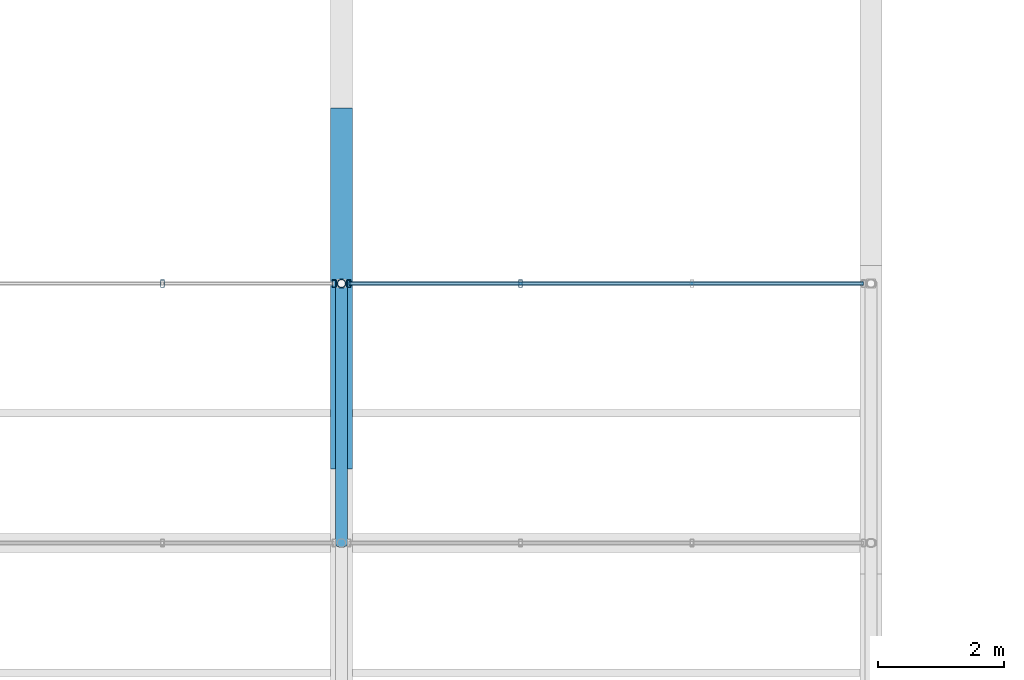
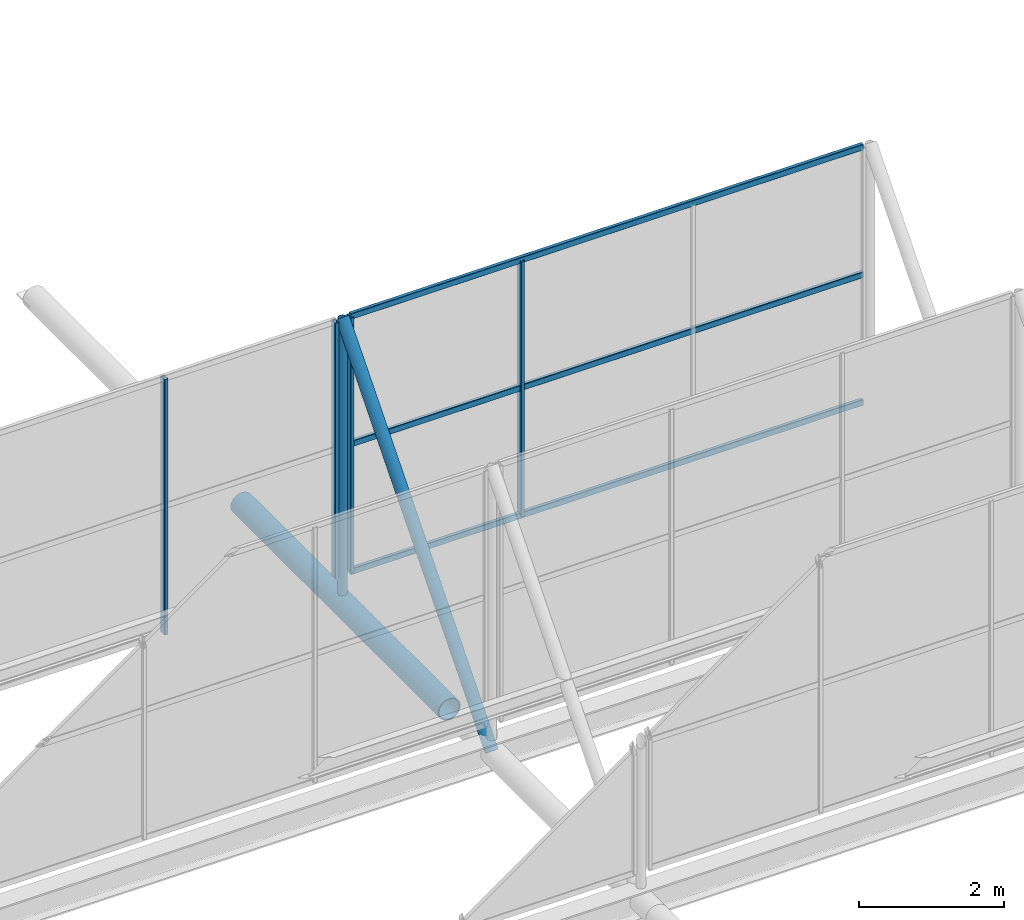
# One storey, part 46 of 77: 10 members, 2 elements without a shape of their own.
"""IFC4 building model written with IfcOpenShell, lengths in metres."""

import ifcopenshell
import ifcopenshell.guid

model = None  # the IFC model being written
_history = None  # IfcOwnerHistory: only IFC2X3 demands one
_inside = {}  # id of a spatial element -> (the spatial element, [elements in it])
_under = {}  # id of a project, library or spatial element -> (it, [spatial elements below it])
_declared = {}  # id of a project -> (the project, [libraries it declares])
_typed = {}  # id of a type object -> (the type object, [elements of that type])
_made_of = {}  # id of a material, layer set ... -> (it, [elements and type objects made of it])


def new_model(schema):
    """Start an empty IFC model of exactly this schema.

    Asked for "IFC4X3", IfcOpenShell would pick the latest addendum, in which some entities
    have other attributes; the version numbers below select the first issue.
    IFC2X3 requires an IfcOwnerHistory on every rooted entity: one is made here for all.
    """
    global model, _history
    if schema == "IFC4X3":
        model = ifcopenshell.file(schema_version=(4, 3, 0, 0))
    else:
        model = ifcopenshell.file(schema=schema)
    _inside.clear()
    _under.clear()
    _declared.clear()
    _typed.clear()
    _made_of.clear()
    _history = None
    if model.schema == "IFC2X3":
        org = make("IfcOrganization", Name="unknown")
        user = make(
            "IfcPersonAndOrganization",
            ThePerson=make("IfcPerson", FamilyName="unknown"),
            TheOrganization=org,
        )
        app = make(
            "IfcApplication",
            ApplicationDeveloper=org,
            Version="unknown",
            ApplicationFullName="unknown",
            ApplicationIdentifier="unknown",
        )
        _history = make(
            "IfcOwnerHistory",
            OwningUser=user,
            OwningApplication=app,
            ChangeAction="ADDED",
            CreationDate=0,
        )
    return model


def make(cls, **values):
    """One entity of the class cls with the attributes given. An attribute that is None is left unset."""
    return model.create_entity(
        cls, **{name: value for name, value in values.items() if value is not None}
    )


def rooted(cls, **values):
    """An entity with a GlobalId (a new one), such as an element, a storey or a relation."""
    return make(cls, GlobalId=ifcopenshell.guid.new(), OwnerHistory=_history, **values)


def si_unit(unit_type, name, prefix=None):
    """IfcSIUnit, for example si_unit("LENGTHUNIT", "METRE", prefix="MILLI")."""
    return make("IfcSIUnit", UnitType=unit_type, Prefix=prefix, Name=name)


def derived_unit(unit_type, elements):
    """IfcDerivedUnit: a product of units, each with its exponent."""
    return make(
        "IfcDerivedUnit",
        Elements=[
            make("IfcDerivedUnitElement", Unit=unit, Exponent=power)
            for unit, power in elements
        ],
        UnitType=unit_type,
    )


def assignment(units):
    """IfcUnitAssignment: the units of a project."""
    return None if units is None else make("IfcUnitAssignment", Units=units)


def point(xyz):
    """IfcCartesianPoint."""
    return None if xyz is None else make("IfcCartesianPoint", Coordinates=xyz)


def direction(xyz):
    """IfcDirection."""
    return None if xyz is None else make("IfcDirection", DirectionRatios=xyz)


def frame(location, z_axis=None, x_axis=None):
    """IfcAxis2Placement3D, a coordinate frame: its origin and axes. An axis left out is left unset."""
    return make(
        "IfcAxis2Placement3D",
        Location=point(location),
        Axis=direction(z_axis),
        RefDirection=direction(x_axis),
    )


def frame_2d(location, x_axis=None):
    """IfcAxis2Placement2D, a coordinate frame in the plane: its origin and x axis."""
    return make(
        "IfcAxis2Placement2D", Location=point(location), RefDirection=direction(x_axis)
    )


def origin():
    """The frame at (0, 0, 0) with its axes left unset."""
    return frame((0.0, 0.0, 0.0))


def origin_2d():
    """The frame at (0, 0) in the plane with its x axis left unset."""
    return frame_2d((0.0, 0.0))


def place(relative_to, where):
    """IfcLocalPlacement: puts the frame where relative to a parent placement (None: the world)."""
    return make(
        "IfcLocalPlacement", PlacementRelTo=relative_to, RelativePlacement=where
    )


def context(
    kind, dimensions, precision=None, world=None, true_north=None, identifier=None
):
    """IfcGeometricRepresentationContext, for example the 3D "Model" context."""
    return make(
        "IfcGeometricRepresentationContext",
        ContextIdentifier=identifier,
        ContextType=kind,
        CoordinateSpaceDimension=dimensions,
        Precision=precision,
        WorldCoordinateSystem=world,
        TrueNorth=true_north,
    )


def subcontext(parent, identifier, kind, view, scale=None):
    """IfcGeometricRepresentationSubContext, for example "Body" below "Model"."""
    return make(
        "IfcGeometricRepresentationSubContext",
        ContextIdentifier=identifier,
        ContextType=kind,
        ParentContext=parent,
        TargetScale=scale,
        TargetView=view,
    )


def project(units=None, contexts=None):
    """IfcProject with its units and contexts."""
    return rooted(
        "IfcProject",
        Name="project",
        RepresentationContexts=contexts,
        UnitsInContext=assignment(units),
    )


def spatial(cls, under=None, at=None, **own):
    """A site, building, storey or space (cls), placed at a placement, below another one or the project."""
    s = rooted(cls, ObjectPlacement=at, **own)
    if under is not None:
        _under.setdefault(under.id(), (under, []))[1].append(s)
    return s


def profile(cls, at=None, kind="AREA", **sizes):
    """A parametric profile (cls). Its sizes go by their IFC names, for example OverallWidth=200.0."""
    return make(cls, ProfileType=kind, Position=at, **sizes)


def hollow_rectangle(**sizes):
    """IfcRectangleHollowProfileDef."""
    return profile("IfcRectangleHollowProfileDef", **sizes)


def hollow_circle(**sizes):
    """IfcCircleHollowProfileDef."""
    return profile("IfcCircleHollowProfileDef", **sizes)


def extrude(swept, where, along, depth):
    """IfcExtrudedAreaSolid: the profile swept, set in the frame where, extruded along a direction by depth."""
    return make(
        "IfcExtrudedAreaSolid",
        SweptArea=swept,
        Position=where,
        ExtrudedDirection=direction(along),
        Depth=depth,
    )


def shape(context_of_items, identifier, shape_type, items):
    """IfcShapeRepresentation: the items that make up one representation, for example the "Body"."""
    return make(
        "IfcShapeRepresentation",
        ContextOfItems=context_of_items,
        RepresentationIdentifier=identifier,
        RepresentationType=shape_type,
        Items=items,
    )


def material(Name=None, Category=None):
    """IfcMaterial."""
    return make("IfcMaterial", Name=Name, Category=Category)


def material_profile(
    of_material, cross_section, Name=None, Category=None, Priority=None
):
    """IfcMaterialProfile: a cross section and its material."""
    return make(
        "IfcMaterialProfile",
        Name=Name,
        Material=of_material,
        Profile=cross_section,
        Priority=Priority,
        Category=Category,
    )


def profile_set(profiles, Name=None, composite=None):
    """IfcMaterialProfileSet."""
    return make(
        "IfcMaterialProfileSet",
        Name=Name,
        MaterialProfiles=profiles,
        CompositeProfile=composite,
    )


def made_of(thing, what):
    """Note that an element or type object is made of a material, layer set ...; save() writes the relation."""
    if what is not None:
        _made_of.setdefault(what.id(), (what, []))[1].append(thing)
    return thing


def type_object(cls, material=None, **own):
    """A type object (cls), such as IfcWallType, which elements share."""
    return made_of(rooted(cls, **own), material)


def element(
    cls,
    number,
    at=None,
    inside=None,
    cuts=None,
    type_object=None,
    material=None,
    context=None,
    identifier="Body",
    shape_type=None,
    held_by="IfcProductDefinitionShape",
    body=None,
    shapes=None,
    **own,
):
    """One element of the class cls, such as IfcWall. Its Tag is "e" and its number.

    at: its placement. inside: the storey or other place that contains it. cuts: it is an
    opening in that element (IfcRelVoidsElement). A single representation is given by context,
    identifier, shape_type and body (its items); several are given by shapes. held_by: the class
    of the entity that holds the representations. save() writes the other relations.
    """
    e = rooted(cls, Tag="e%d" % number, ObjectPlacement=at, **own)
    if body is not None:
        shapes = [shape(context, identifier, shape_type, body)]
    if shapes is not None:
        e.Representation = make(held_by, Representations=shapes)
    if inside is not None:
        _inside.setdefault(inside.id(), (inside, []))[1].append(e)
    if cuts is not None:
        rooted(
            "IfcRelVoidsElement", RelatingBuildingElement=cuts, RelatedOpeningElement=e
        )
    if type_object is not None:
        _typed.setdefault(type_object.id(), (type_object, []))[1].append(e)
    return made_of(e, material)


def aggregate(whole, parts):
    """IfcRelAggregates: a whole, such as a stair, and the parts it consists of."""
    return rooted("IfcRelAggregates", RelatingObject=whole, RelatedObjects=parts)


def save(model, path):
    """Write the relations noted so far, then the file.

    IfcRelAggregates (storeys below a building ...), IfcRelContainedInSpatialStructure (elements
    in a storey), IfcRelDefinesByType, IfcRelAssociatesMaterial and IfcRelDeclares: one each for
    every whole, place, type object, material and project.
    """
    for whole, parts in _under.values():
        aggregate(whole, parts)
    for where, things in _inside.values():
        rooted(
            "IfcRelContainedInSpatialStructure",
            RelatedElements=things,
            RelatingStructure=where,
        )
    for kind, things in _typed.values():
        rooted("IfcRelDefinesByType", RelatedObjects=things, RelatingType=kind)
    for what, things in _made_of.values():
        rooted("IfcRelAssociatesMaterial", RelatedObjects=things, RelatingMaterial=what)
    for by, libraries in _declared.values():
        rooted("IfcRelDeclares", RelatingContext=by, RelatedDefinitions=libraries)
    model.write(path)


model = new_model("IFC4")

# Units and contexts
model_context = context("Model", 3, precision=1e-05, world=origin(), true_north=direction((0.0, 1.0)))
body_context = subcontext(model_context, "Body", "Model", "MODEL_VIEW")
ifc_project = project(units=[si_unit("LENGTHUNIT", "METRE"), si_unit("AREAUNIT", "SQUARE_METRE"), si_unit("VOLUMEUNIT", "CUBIC_METRE"), si_unit("PLANEANGLEUNIT", "RADIAN"), si_unit("MASSUNIT", "GRAM", prefix="KILO"), derived_unit("THERMALTRANSMITTANCEUNIT", [(si_unit("MASSUNIT", "GRAM", prefix="KILO"), 1), (si_unit("TIMEUNIT", "SECOND"), -3), (si_unit("THERMODYNAMICTEMPERATUREUNIT", "KELVIN"), -1)])], contexts=[model_context])

# Site, building, storey
site_placement = place(None, origin())
site = spatial("IfcSite", under=ifc_project, at=site_placement, CompositionType="ELEMENT")
building_placement = place(site_placement, origin())
building = spatial("IfcBuilding", under=site, at=building_placement, Name="Kharveza Railside Sports Centre", CompositionType="ELEMENT")
storey_placement = place(building_placement, frame((0.0, 0.0, 17.10009765625)))
storey = spatial("IfcBuildingStorey", under=building, at=storey_placement, Name="L04", CompositionType="ELEMENT", Elevation=17.10009765625)

# Curtain wall, members
ifc_material_1 = material(Name="Low-E solar-control laminated glass", Category="glass")
curtain_wall_type = type_object("IfcCurtainWallType", Name="CW-NL01", PredefinedType="NOTDEFINED", material=ifc_material_1)
curtain_wall_1_placement = place(storey_placement, origin())
curtain_wall_1 = element("IfcCurtainWall", 1, at=curtain_wall_1_placement, inside=storey, type_object=curtain_wall_type, Name="CW-V1NL-7-4", PredefinedType="NOTDEFINED")
ifc_material_2 = material(Name="Anodised aluminium 6063-T6", Category="aluminium")
ifc_material_profile_1 = material_profile(ifc_material_2, hollow_rectangle(XDim=0.06005859375, YDim=0.1201171875, WallThickness=0.0048828125, InnerFilletRadius=0.0048828125, OuterFilletRadius=0.010009765625, at=origin_2d()), Name="RHS 60x120x5.0")
ifc_profile_set_1 = profile_set([ifc_material_profile_1], Name="Anodised aluminium 6063-T6")
member_type_1 = type_object("IfcMemberType", Name="CW-ML05", PredefinedType="MULLION", material=ifc_profile_set_1)
member_1_placement = place(storey_placement, frame((64.360107421875, 64.800048828125, -0.550048828125), z_axis=(0.0, 0.0, 1.0), x_axis=(1.0, 0.0, 0.0)))
member_1 = element("IfcMember", 2, at=member_1_placement, type_object=member_type_1, Name="CW-V1NL-7-4-ML3", PredefinedType="MULLION", context=body_context, shape_type="SweptSolid", body=[
    extrude(hollow_rectangle(XDim=0.06005859375, YDim=0.1201171875, WallThickness=0.0048828125, InnerFilletRadius=0.0048828125, OuterFilletRadius=0.010009765625, at=origin_2d()), origin(), (0.0, 0.0, 1.0), 4.300048828125),
])
member_2_placement = place(storey_placement, frame((67.080078125, 64.800048828125, -0.550048828125), z_axis=(0.0, 0.0, 1.0), x_axis=(1.0, 0.0, 0.0)))
member_2 = element("IfcMember", 3, at=member_2_placement, type_object=member_type_1, Name="CW-V1NL-7-4-ML4", PredefinedType="MULLION", context=body_context, shape_type="SweptSolid", body=[
    extrude(hollow_rectangle(XDim=0.06005859375, YDim=0.1201171875, WallThickness=0.0048828125, InnerFilletRadius=0.0048828125, OuterFilletRadius=0.010009765625, at=origin_2d()), origin(), (0.0, 0.0, 1.0), 4.300048828125),
])
aggregate(curtain_wall_1, [member_1, member_2])

curtain_wall_2_placement = place(storey_placement, origin())
curtain_wall_2 = element("IfcCurtainWall", 4, at=curtain_wall_2_placement, inside=storey, type_object=curtain_wall_type, Name="CW-V1NL-7-5", PredefinedType="NOTDEFINED")
member_3_placement = place(storey_placement, frame((67.320068359375, 64.800048828125, -0.550048828125), z_axis=(0.0, 0.0, 1.0), x_axis=(1.0, 0.0, 0.0)))
member_3 = element("IfcMember", 5, at=member_3_placement, type_object=member_type_1, Name="CW-V1NL-7-5-ML1", PredefinedType="MULLION", context=body_context, shape_type="SweptSolid", body=[
    extrude(hollow_rectangle(XDim=0.06005859375, YDim=0.1201171875, WallThickness=0.0048828125, InnerFilletRadius=0.0048828125, OuterFilletRadius=0.010009765625, at=origin_2d()), origin(), (0.0, 0.0, 1.0), 4.300048828125),
])
member_4_placement = place(storey_placement, frame((70.0400390625, 64.800048828125, -0.550048828125), z_axis=(0.0, 0.0, 1.0), x_axis=(1.0, 0.0, 0.0)))
member_4 = element("IfcMember", 6, at=member_4_placement, type_object=member_type_1, Name="CW-V1NL-7-5-ML2", PredefinedType="MULLION", context=body_context, shape_type="SweptSolid", body=[
    extrude(hollow_rectangle(XDim=0.06005859375, YDim=0.1201171875, WallThickness=0.0048828125, InnerFilletRadius=0.0048828125, OuterFilletRadius=0.010009765625, at=origin_2d()), origin(), (0.0, 0.0, 1.0), 4.300048828125),
])
ifc_material_profile_2 = material_profile(ifc_material_2, hollow_rectangle(XDim=0.06005859375, YDim=0.10009765625, WallThickness=0.00390625, InnerFilletRadius=0.00390625, OuterFilletRadius=0.008056640625, at=origin_2d()), Name="RHS 60x100x4.0")
ifc_profile_set_2 = profile_set([ifc_material_profile_2], Name="Anodised aluminium 6063-T6")
member_type_2 = type_object("IfcMemberType", Name="CW-TR05", PredefinedType="USERDEFINED", material=ifc_profile_set_2)
member_5_placement = place(storey_placement, frame((67.320068359375, 64.800048828125, -0.550048828125), z_axis=(1.0, 0.0, 0.0), x_axis=(0.0, 1.0, 0.0)))
member_5 = element("IfcMember", 7, at=member_5_placement, type_object=member_type_2, Name="CW-V1NL-7-5-TR1", ObjectType="TRANSOM", PredefinedType="USERDEFINED", context=body_context, shape_type="SweptSolid", body=[
    extrude(hollow_rectangle(XDim=0.06005859375, YDim=0.10009765625, WallThickness=0.00390625, InnerFilletRadius=0.00390625, OuterFilletRadius=0.008056640625, at=origin_2d()), origin(), (0.0, 0.0, 1.0), 8.159912109375),
])
member_6_placement = place(storey_placement, frame((67.320068359375, 64.800048828125, 1.599853515625), z_axis=(1.0, 0.0, 0.0), x_axis=(0.0, 1.0, 0.0)))
member_6 = element("IfcMember", 8, at=member_6_placement, type_object=member_type_2, Name="CW-V1NL-7-5-TR2", ObjectType="TRANSOM", PredefinedType="USERDEFINED", context=body_context, shape_type="SweptSolid", body=[
    extrude(hollow_rectangle(XDim=0.06005859375, YDim=0.10009765625, WallThickness=0.00390625, InnerFilletRadius=0.00390625, OuterFilletRadius=0.008056640625, at=origin_2d()), origin(), (0.0, 0.0, 1.0), 8.159912109375),
])
member_7_placement = place(storey_placement, frame((67.320068359375, 64.800048828125, 3.75), z_axis=(1.0, 0.0, 0.0), x_axis=(0.0, 1.0, 0.0)))
member_7 = element("IfcMember", 9, at=member_7_placement, type_object=member_type_2, Name="CW-V1NL-7-5-TR3", ObjectType="TRANSOM", PredefinedType="USERDEFINED", context=body_context, shape_type="SweptSolid", body=[
    extrude(hollow_rectangle(XDim=0.06005859375, YDim=0.10009765625, WallThickness=0.00390625, InnerFilletRadius=0.00390625, OuterFilletRadius=0.008056640625, at=origin_2d()), origin(), (0.0, 0.0, 1.0), 8.159912109375),
])
aggregate(curtain_wall_2, [member_3, member_4, member_5, member_6, member_7])

# Members
ifc_material_3 = material(Name="Steel S355J2", Category="steel")
ifc_material_profile_3 = material_profile(ifc_material_3, hollow_circle(Radius=0.177734375, WallThickness=0.01611328125, at=origin_2d()), Name="CHS 355.6x16.0")
ifc_profile_set_3 = profile_set([ifc_material_profile_3], Name="Steel S355J2")
member_type_3 = type_object("IfcMemberType", Name="MB-CH01", PredefinedType="CHORD", material=ifc_profile_set_3)
member_8_placement = place(storey_placement, frame((67.199951171875, 61.857666015625, -1.050048828125), z_axis=(0.0, 1.0, 0.0), x_axis=(-1.0, 0.0, 0.0)))
element("IfcMember", 10, at=member_8_placement, inside=storey, type_object=member_type_3, Name="MB-V1TR-TC-5-7", PredefinedType="CHORD", context=body_context, shape_type="SweptSolid", body=[
    extrude(hollow_circle(Radius=0.177734375, WallThickness=0.01611328125, at=origin_2d()), origin(), (0.0, 0.0, 1.0), 5.728759765625),
])
ifc_material_profile_4 = material_profile(ifc_material_3, hollow_circle(Radius=0.096923828125, WallThickness=0.010009765625, at=origin_2d()), Name="CHS 193.7x10.0")
ifc_profile_set_4 = profile_set([ifc_material_profile_4], Name="Steel S355J2")
member_type_4 = type_object("IfcMemberType", Name="MB-ST02", PredefinedType="STRUT", material=ifc_profile_set_4)
member_9_placement = place(storey_placement, frame((67.199951171875, 60.685791015625, -1.050048828125), z_axis=(0.0, 0.650003261435, 0.759931418039), x_axis=(-1.0, 0.0, 0.0)))
element("IfcMember", 11, at=member_9_placement, inside=storey, type_object=member_type_4, Name="MB-V1SAW-RFT-7-5", PredefinedType="STRUT", context=body_context, shape_type="SweptSolid", body=[
    extrude(hollow_circle(Radius=0.096923828125, WallThickness=0.010009765625, at=origin_2d()), origin(), (0.0, 0.0, 1.0), 6.32958984375),
])
ifc_material_profile_5 = material_profile(ifc_material_3, hollow_circle(Radius=0.06982421875, WallThickness=0.008056640625, at=origin_2d()), Name="CHS 139.7x8.0")
ifc_profile_set_5 = profile_set([ifc_material_profile_5], Name="Steel S355J2")
member_type_5 = type_object("IfcMemberType", Name="MB-ST04", PredefinedType="STRUT", material=ifc_profile_set_5)
member_10_placement = place(storey_placement, frame((67.199951171875, 64.800048828125, -1.050048828125), z_axis=(0.0, 0.0, 1.0), x_axis=(1.0, 0.0, 0.0)))
element("IfcMember", 12, at=member_10_placement, inside=storey, type_object=member_type_5, Name="MB-V1SAW-PST-7-5", PredefinedType="STRUT", context=body_context, shape_type="SweptSolid", body=[
    extrude(hollow_circle(Radius=0.06982421875, WallThickness=0.008056640625, at=origin_2d()), origin(), (0.0, 0.0, 1.0), 4.81005859375),
])

save(model, "model.ifc")
